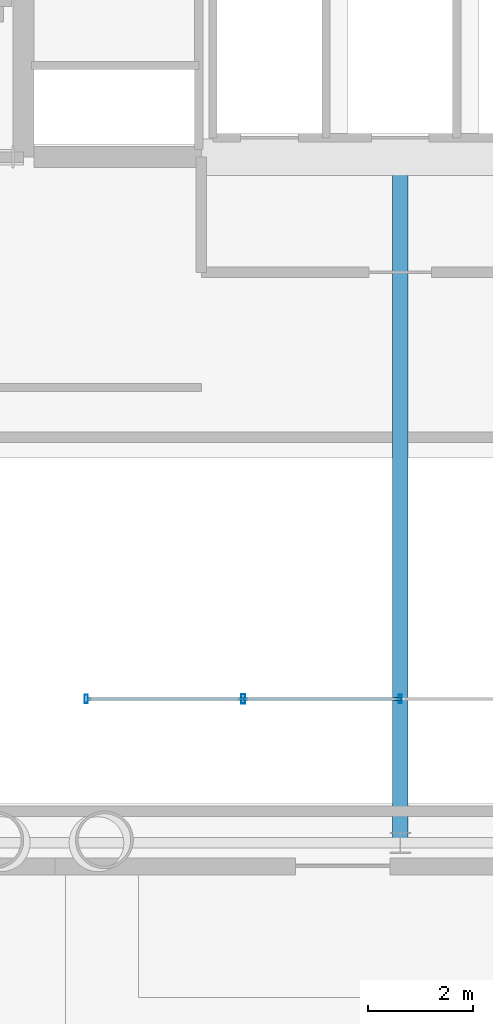
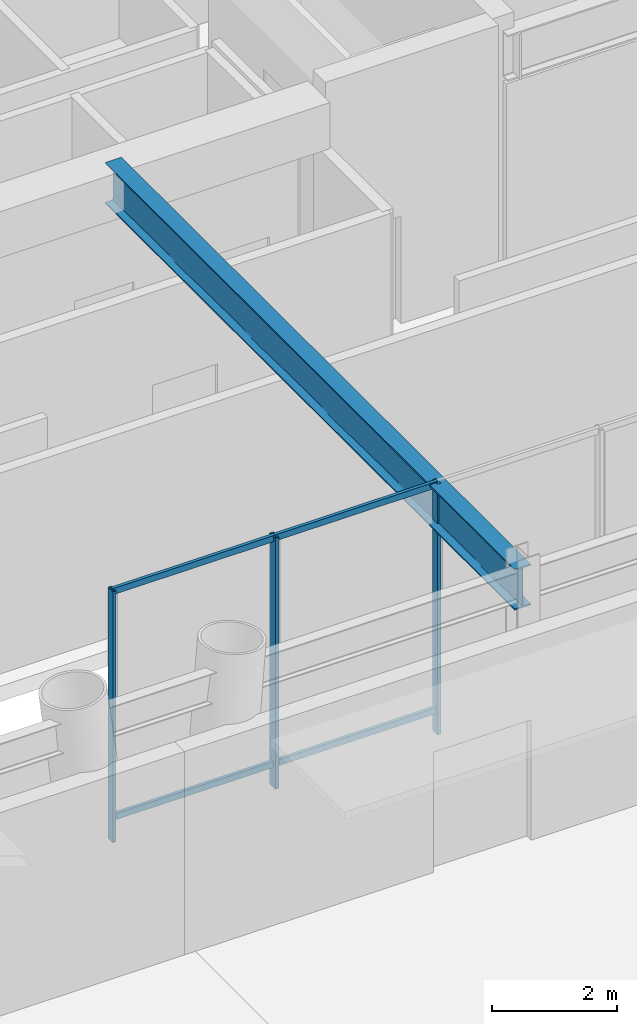
# One storey, part 6 of 19: 7 members, 1 beam, 1 element without a shape of its own.
"""IFC4 building model written with IfcOpenShell, lengths in metres."""

from ifc_helpers import new_model, si_unit, direction, frame, origin, origin_2d, place, context, subcontext, project, spatial, hollow_rectangle, i_section, extrude, material, layer, layer_set, material_profile, profile_set, type_object, element, aggregate, save


model = new_model("IFC4")

# Units and contexts
model_context = context("Model", 3, precision=1e-05, world=origin(), true_north=direction((0.0, 1.0)))
body_context = subcontext(model_context, "Body", "Model", "MODEL_VIEW")
ifc_project = project(units=[si_unit("LENGTHUNIT", "METRE"), si_unit("AREAUNIT", "SQUARE_METRE"), si_unit("VOLUMEUNIT", "CUBIC_METRE"), si_unit("PLANEANGLEUNIT", "RADIAN"), si_unit("MASSUNIT", "GRAM", prefix="KILO")], contexts=[model_context])

# Site, building, storey
site_placement = place(None, origin())
site = spatial("IfcSite", under=ifc_project, at=site_placement, CompositionType="ELEMENT")
building_placement = place(site_placement, origin())
building = spatial("IfcBuilding", under=site, at=building_placement, Name="Veldorina Hangang Commons", CompositionType="ELEMENT")
storey_placement = place(building_placement, origin())
storey = spatial("IfcBuildingStorey", under=building, at=storey_placement, Name="L00", CompositionType="ELEMENT", Elevation=0.0)

# Beam
ifc_material_1 = material(Name="Steel SM460-TMC", Category="steel")
ifc_material_profile_1 = material_profile(ifc_material_1, i_section(OverallWidth=0.300048828125, OverallDepth=0.800048828125, WebThickness=0.013916015625, FlangeThickness=0.02587890625, FilletRadius=0.02197265625, at=origin_2d()), Name="H-800x300x14x26")
ifc_profile_set_1 = profile_set([ifc_material_profile_1], Name="Steel SM460-TMC")
beam_type = type_object("IfcBeamType", Name="BM-PG800", PredefinedType="BEAM", material=ifc_profile_set_1)
beam_placement = place(storey_placement, frame((32.0, 3.449951171875, 4.5), z_axis=(0.0, 1.0, 0.0), x_axis=(-1.0, 0.0, 0.0)))
element("IfcBeam", 1, at=beam_placement, inside=storey, type_object=beam_type, Name="L00 south primary girder G5", PredefinedType="BEAM", context=body_context, shape_type="SweptSolid", body=[
    extrude(i_section(OverallWidth=0.300048828125, OverallDepth=0.800048828125, WebThickness=0.013916015625, FlangeThickness=0.02587890625, FilletRadius=0.02197265625, at=origin_2d()), origin(), (0.0, 0.0, 1.0), 13.10009765625),
])

# Curtain wall, members
ifc_material_2 = material(Name="Glass Low-E Triple IGU", Category="glass")
ifc_layer = layer(ifc_material_2, 0.179931640625)
ifc_layer_set = layer_set([ifc_layer], Name="Glass Low-E Triple IGU")
curtain_wall_type = type_object("IfcCurtainWallType", Name="CW-SYS-POD", PredefinedType="NOTDEFINED", material=ifc_layer_set)
curtain_wall_placement = place(storey_placement, origin())
curtain_wall = element("IfcCurtainWall", 2, at=curtain_wall_placement, inside=storey, type_object=curtain_wall_type, Name="L00 unitised curtain wall CW-L00-VEST", PredefinedType="NOTDEFINED")
ifc_material_3 = material(Name="Aluminium Anodized AA6063-T6", Category="aluminium")
ifc_material_profile_2 = material_profile(ifc_material_3, hollow_rectangle(XDim=0.06005859375, YDim=0.159912109375, WallThickness=0.00390625, at=origin_2d()), Name="ALU-RHS-160x60x4")
ifc_profile_set_2 = profile_set([ifc_material_profile_2], Name="Aluminium Anodized AA6063-T6")
member_type_1 = type_object("IfcMemberType", Name="CW-MUL-160", PredefinedType="MULLION", material=ifc_profile_set_2)
member_1_placement = place(storey_placement, frame((26.0, 6.199951171875, 0.0), z_axis=(0.0, 0.0, 1.0), x_axis=(1.0, 0.0, 0.0)))
member_1 = element("IfcMember", 3, at=member_1_placement, type_object=member_type_1, Name="CW-L00-VEST vertical mullion 1", PredefinedType="MULLION", context=body_context, shape_type="SweptSolid", body=[
    extrude(hollow_rectangle(XDim=0.06005859375, YDim=0.159912109375, WallThickness=0.00390625, at=origin_2d()), origin(), (0.0, 0.0, 1.0), 4.89990234375),
])
member_2_placement = place(storey_placement, frame((32.0, 6.199951171875, 0.0), z_axis=(0.0, 0.0, 1.0), x_axis=(1.0, 0.0, 0.0)))
member_2 = element("IfcMember", 4, at=member_2_placement, type_object=member_type_1, Name="CW-L00-VEST vertical mullion 3", PredefinedType="MULLION", context=body_context, shape_type="SweptSolid", body=[
    extrude(hollow_rectangle(XDim=0.06005859375, YDim=0.159912109375, WallThickness=0.00390625, at=origin_2d()), origin(), (0.0, 0.0, 1.0), 4.89990234375),
])
ifc_material_profile_3 = material_profile(ifc_material_3, hollow_rectangle(XDim=0.070068359375, YDim=0.179931640625, WallThickness=0.00390625, at=origin_2d()), Name="ALU-RHS-180x70x4")
ifc_profile_set_3 = profile_set([ifc_material_profile_3], Name="Aluminium Anodized AA6063-T6")
member_type_2 = type_object("IfcMemberType", Name="CW-MUL-180", PredefinedType="MULLION", material=ifc_profile_set_3)
member_3_placement = place(storey_placement, frame((29.0, 6.199951171875, 0.0), z_axis=(0.0, 0.0, 1.0), x_axis=(1.0, 0.0, 0.0)))
member_3 = element("IfcMember", 5, at=member_3_placement, type_object=member_type_2, Name="CW-L00-VEST vertical mullion 2", PredefinedType="MULLION", context=body_context, shape_type="SweptSolid", body=[
    extrude(hollow_rectangle(XDim=0.070068359375, YDim=0.179931640625, WallThickness=0.00390625, at=origin_2d()), origin(), (0.0, 0.0, 1.0), 4.89990234375),
])
ifc_material_profile_4 = material_profile(ifc_material_3, hollow_rectangle(XDim=0.06005859375, YDim=0.1201171875, WallThickness=0.00341796875, at=origin_2d()), Name="ALU-RHS-120x60x3.5")
ifc_profile_set_4 = profile_set([ifc_material_profile_4], Name="Aluminium Anodized AA6063-T6")
member_type_3 = type_object("IfcMemberType", Name="CW-TRN-120", PredefinedType="USERDEFINED", material=ifc_profile_set_4)
member_4_placement = place(storey_placement, frame((26.0, 6.199951171875, 0.449951171875), z_axis=(1.0, 0.0, 0.0), x_axis=(0.0, 1.0, 0.0)))
member_4 = element("IfcMember", 6, at=member_4_placement, type_object=member_type_3, Name="CW-L00-VEST facet 1 transom 1", ObjectType="TRANSOM", PredefinedType="USERDEFINED", context=body_context, shape_type="SweptSolid", body=[
    extrude(hollow_rectangle(XDim=0.06005859375, YDim=0.1201171875, WallThickness=0.00341796875, at=origin_2d()), origin(), (0.0, 0.0, 1.0), 3.0),
])
member_5_placement = place(storey_placement, frame((26.0, 6.199951171875, 4.860107421875), z_axis=(1.0, 0.0, 0.0), x_axis=(0.0, 1.0, 0.0)))
member_5 = element("IfcMember", 7, at=member_5_placement, type_object=member_type_3, Name="CW-L00-VEST facet 1 transom 2", ObjectType="TRANSOM", PredefinedType="USERDEFINED", context=body_context, shape_type="SweptSolid", body=[
    extrude(hollow_rectangle(XDim=0.06005859375, YDim=0.1201171875, WallThickness=0.00341796875, at=origin_2d()), origin(), (0.0, 0.0, 1.0), 3.0),
])
member_6_placement = place(storey_placement, frame((29.0, 6.199951171875, 0.449951171875), z_axis=(1.0, 0.0, 0.0), x_axis=(0.0, 1.0, 0.0)))
member_6 = element("IfcMember", 8, at=member_6_placement, type_object=member_type_3, Name="CW-L00-VEST facet 2 transom 1", ObjectType="TRANSOM", PredefinedType="USERDEFINED", context=body_context, shape_type="SweptSolid", body=[
    extrude(hollow_rectangle(XDim=0.06005859375, YDim=0.1201171875, WallThickness=0.00341796875, at=origin_2d()), origin(), (0.0, 0.0, 1.0), 3.0),
])
member_7_placement = place(storey_placement, frame((29.0, 6.199951171875, 4.860107421875), z_axis=(1.0, 0.0, 0.0), x_axis=(0.0, 1.0, 0.0)))
member_7 = element("IfcMember", 9, at=member_7_placement, type_object=member_type_3, Name="CW-L00-VEST facet 2 transom 2", ObjectType="TRANSOM", PredefinedType="USERDEFINED", context=body_context, shape_type="SweptSolid", body=[
    extrude(hollow_rectangle(XDim=0.06005859375, YDim=0.1201171875, WallThickness=0.00341796875, at=origin_2d()), origin(), (0.0, 0.0, 1.0), 3.0),
])
aggregate(curtain_wall, [member_1, member_3, member_2, member_4, member_5, member_6, member_7])

save(model, "model.ifc")
